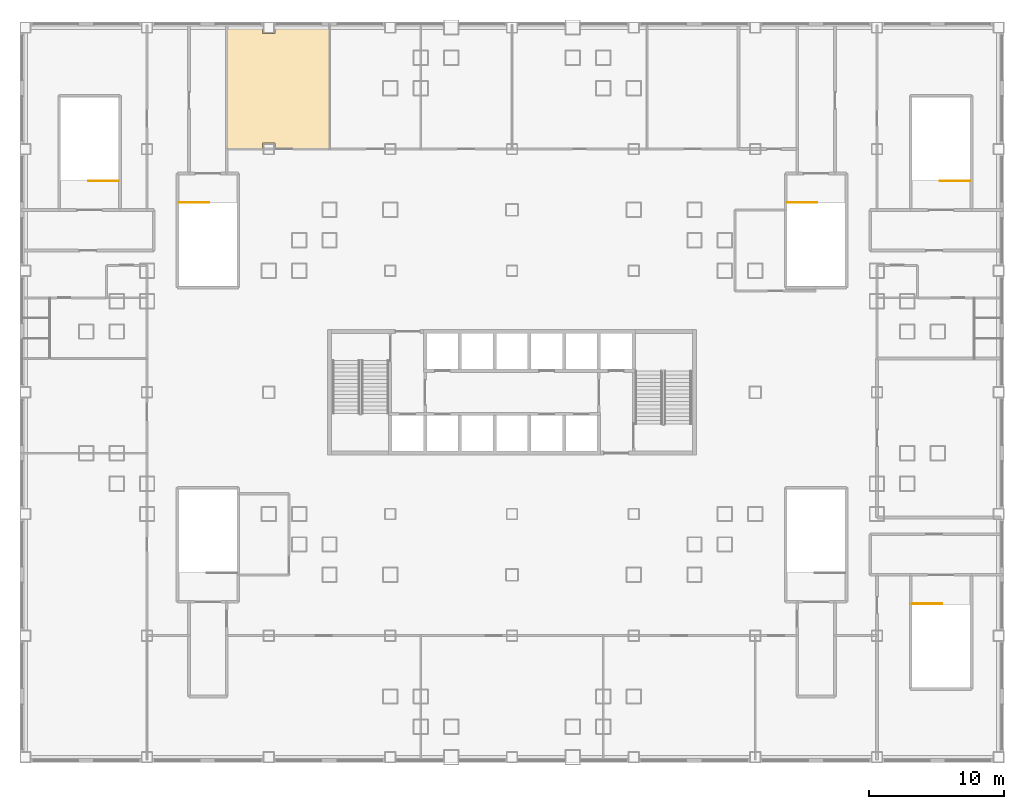
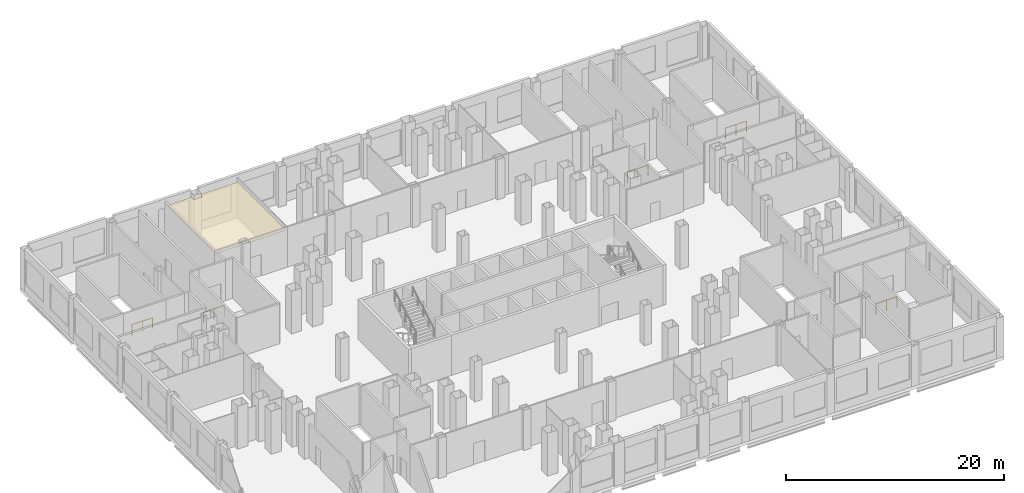
# One storey, part 13 of 13: 5 railings, 1 covering.
"""IFC4 building model written with IfcOpenShell, lengths in metres."""

from ifc_helpers import new_model, si_unit, direction, frame, origin, origin_2d, place, context, subcontext, project, spatial, polyline, circle, outline, extrude, material, layer, layer_set, type_object, element, save


model = new_model("IFC4")

# Units and contexts
model_context = context("Model", 3, precision=1e-05, world=origin(), true_north=direction((0.0, 1.0)))
body_context = subcontext(model_context, "Body", "Model", "MODEL_VIEW")
ifc_project = project(units=[si_unit("LENGTHUNIT", "METRE"), si_unit("AREAUNIT", "SQUARE_METRE"), si_unit("VOLUMEUNIT", "CUBIC_METRE"), si_unit("PLANEANGLEUNIT", "RADIAN"), si_unit("MASSUNIT", "GRAM", prefix="KILO")], contexts=[model_context])

# Site, building, storey
site_placement = place(None, origin())
site = spatial("IfcSite", under=ifc_project, at=site_placement, CompositionType="ELEMENT")
building_placement = place(site_placement, origin())
building = spatial("IfcBuilding", under=site, at=building_placement, Name="Caravel Reach Hotel and Residences", CompositionType="ELEMENT")
storey_placement = place(building_placement, frame((0.0, 0.0, 28.800048828125)))
storey = spatial("IfcBuildingStorey", under=building, at=storey_placement, Name="L05", CompositionType="ELEMENT", Elevation=28.800048828125)

# Covering
ifc_material_1 = material(Name="Mineral fibre ceiling tile")
ifc_layer = layer(ifc_material_1, 0.050048828125)
ifc_layer_set = layer_set([ifc_layer], Name="CL1 Suspended ceiling 50")
covering_type = type_object("IfcCoveringType", Name="CL1 Suspended ceiling 50", PredefinedType="CEILING", material=ifc_layer_set)
covering_placement = place(storey_placement, frame((0.0, 0.0, 4.050048828125)))
element("IfcCovering", 1, at=covering_placement, inside=storey, type_object=covering_type, Name="L05 ceiling Hotel guest lounge", PredefinedType="CEILING", context=body_context, shape_type="SweptSolid", body=[
    extrude(outline(polyline([(13.050048828125, 45.050048828125), (13.050048828125, 45.449951171875), (13.949951171875, 45.449951171875), (13.949951171875, 45.050048828125), (17.949951171875, 45.050048828125), (17.949951171875, 53.949951171875), (13.949951171875, 53.949951171875), (13.949951171875, 53.550048828125), (13.050048828125, 53.550048828125), (13.050048828125, 53.949951171875), (10.449951171875, 53.949951171875), (10.449951171875, 45.050048828125), (13.050048828125, 45.050048828125)])), origin(), (0.0, 0.0, 1.0), 0.0498046875),
])

# Railings
ifc_material_2 = material(Name="Steel balustrade with glass infill", Category="steel")
railing_type = type_object("IfcRailingType", Name="Guard 1200", PredefinedType="GUARDRAIL", material=ifc_material_2)
for number, where, name in (
    (2, (6.85498046875, 41.06005859375, 0.0), "L05 ST-P1 top well guard 1"),
    (3, (51.85498046875, 41.06005859375, 0.0), "L05 ST-P2 top well guard 1"),
):
    element("IfcRailing", number, at=place(storey_placement, frame(where)), inside=storey, type_object=railing_type, Name=name, PredefinedType="GUARDRAIL", context=body_context, shape_type="SweptSolid", body=[
        extrude(circle(Radius=0.02392578125, at=origin_2d()), frame((0.0, 0.0, 1.17578125), z_axis=(1.0, 0.0, 0.0), x_axis=(0.0, 1.0, 0.0)), (0.0, 0.0, 1.0), 2.219970703125),
        extrude(circle(Radius=0.02099609375, at=origin_2d()), origin(), (0.0, 0.0, 1.0), 1.15185546875),
        extrude(circle(Radius=0.02099609375, at=origin_2d()), frame((1.10986328125, 0.0, 0.0)), (0.0, 0.0, 1.0), 1.15185546875),
        extrude(circle(Radius=0.02099609375, at=origin_2d()), frame((2.219970703125, 0.0, 0.0)), (0.0, 0.0, 1.0), 1.15185546875),
    ])
for number, where, name in (
    (4, (2.39501953125, 42.639892578125, 0.0), "L05 ST-P5 top well guard 1"),
    (5, (65.39501953125, 42.639892578125, 0.0), "L05 ST-P6 top well guard 1"),
):
    element("IfcRailing", number, at=place(storey_placement, frame(where)), inside=storey, type_object=railing_type, Name=name, PredefinedType="GUARDRAIL", context=body_context, shape_type="SweptSolid", body=[
        extrude(circle(Radius=0.02392578125, at=origin_2d()), frame((0.0, 0.0, 1.17578125), z_axis=(-1.0, 0.0, 0.0), x_axis=(0.0, -1.0, 0.0)), (0.0, 0.0, 1.0), 2.219970703125),
        extrude(circle(Radius=0.02099609375, at=origin_2d()), origin(), (0.0, 0.0, 1.0), 1.15185546875),
        extrude(circle(Radius=0.02099609375, at=origin_2d()), frame((-1.10986328125, 0.0, 0.0)), (0.0, 0.0, 1.0), 1.15185546875),
        extrude(circle(Radius=0.02099609375, at=origin_2d()), frame((-2.219970703125, 0.0, 0.0)), (0.0, 0.0, 1.0), 1.15185546875),
    ])
railing_placement = place(storey_placement, frame((61.10498046875, 11.360107421875, 0.0)))
element("IfcRailing", 6, at=railing_placement, inside=storey, type_object=railing_type, Name="L05 ST-P7 top well guard 1", PredefinedType="GUARDRAIL", context=body_context, shape_type="SweptSolid", body=[
    extrude(circle(Radius=0.02392578125, at=origin_2d()), frame((0.0, 0.0, 1.17578125), z_axis=(1.0, 0.0, 0.0), x_axis=(0.0, 1.0, 0.0)), (0.0, 0.0, 1.0), 2.219970703125),
    extrude(circle(Radius=0.02099609375, at=origin_2d()), origin(), (0.0, 0.0, 1.0), 1.15185546875),
    extrude(circle(Radius=0.02099609375, at=origin_2d()), frame((1.10986328125, 0.0, 0.0)), (0.0, 0.0, 1.0), 1.15185546875),
    extrude(circle(Radius=0.02099609375, at=origin_2d()), frame((2.219970703125, 0.0, 0.0)), (0.0, 0.0, 1.0), 1.15185546875),
])

save(model, "model.ifc")
